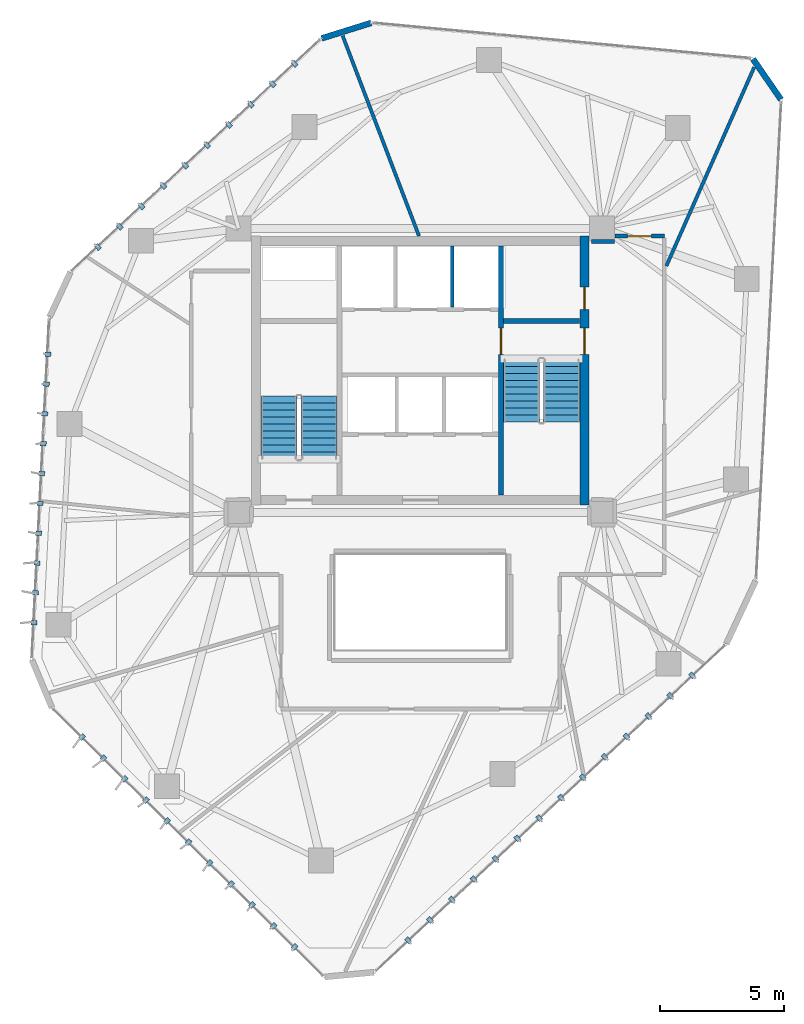
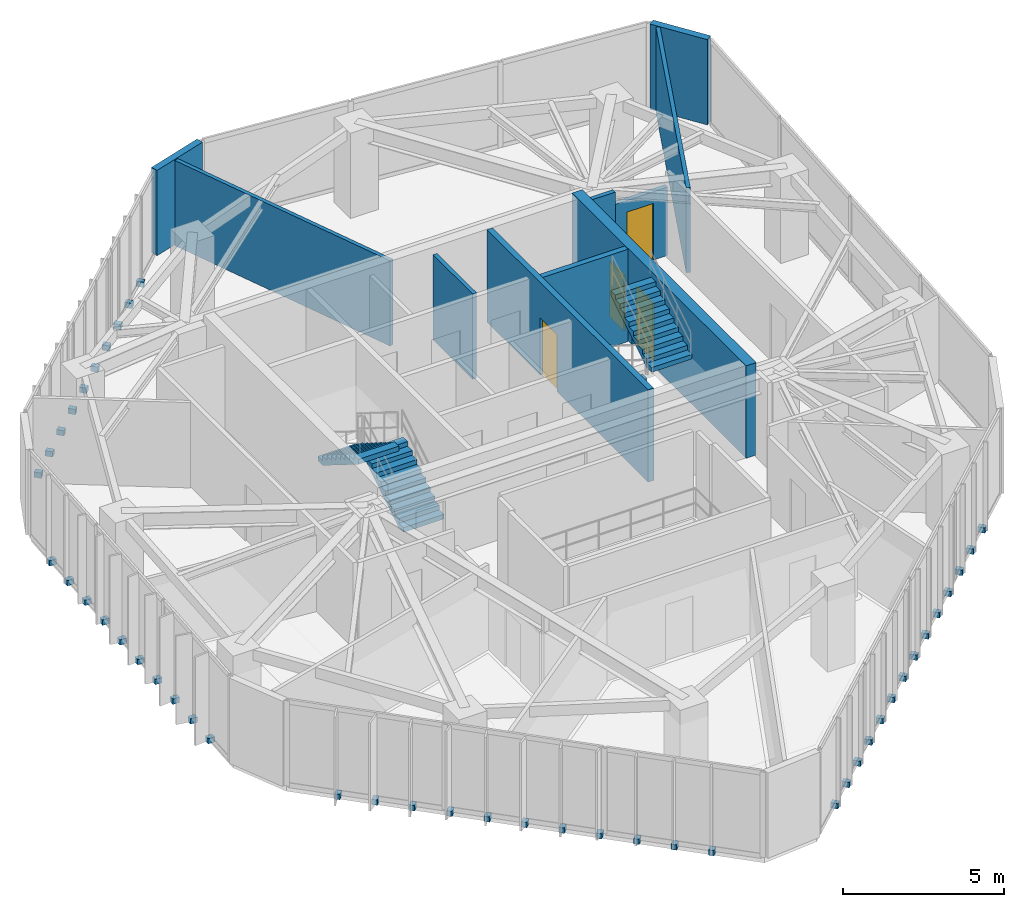
# One storey, part 17 of 19: 45 discrete accessories, 10 walls, 4 doors, 4 stair flights, 4 openings, 2 elements without a shape of their own.
"""IFC4 building model written with IfcOpenShell, lengths in metres."""

from ifc_helpers import new_model, si_unit, direction, frame, frame_2d, origin, origin_2d, place, context, subcontext, project, spatial, polyline, rectangle, outline, extrude, source, transform, mapped, material, layer, layer_set, type_object, type_shapes, element, fill, aggregate, save


model = new_model("IFC4")

# Units and contexts
model_context = context("Model", 3, precision=1e-05, world=origin(), true_north=direction((0.0, 1.0)))
body_context = subcontext(model_context, "Body", "Model", "MODEL_VIEW")
ifc_project = project(units=[si_unit("LENGTHUNIT", "METRE"), si_unit("AREAUNIT", "SQUARE_METRE"), si_unit("VOLUMEUNIT", "CUBIC_METRE"), si_unit("PLANEANGLEUNIT", "RADIAN"), si_unit("MASSUNIT", "GRAM", prefix="KILO")], contexts=[model_context])

# Site, building, storey
site_placement = place(None, origin())
site = spatial("IfcSite", under=ifc_project, at=site_placement, CompositionType="ELEMENT")
building_placement = place(site_placement, origin())
building = spatial("IfcBuilding", under=site, at=building_placement, Name="Talar Marvaseh", CompositionType="ELEMENT")
storey_placement = place(building_placement, frame((0.0, 0.0, 218.699951171875)))
storey = spatial("IfcBuildingStorey", under=building, at=storey_placement, Name="L57", CompositionType="ELEMENT", Elevation=218.699951171875)

# Walls
ifc_material_1 = material(Name="Precast concrete C45/55", Category="concrete")
ifc_layer_1 = layer(ifc_material_1, 0.239990234375)
ifc_layer_set_1 = layer_set([ifc_layer_1], Name="Precast concrete C45/55")
wall_type_1 = type_object("IfcWallType", Name="Chamfered Hexagonal Corner Pier Wall Z3 240", PredefinedType="SOLIDWALL", material=ifc_layer_set_1)
wall_1_placement = place(storey_placement, frame((22.03515625, 44.544189453125, 0.0), z_axis=(0.0, 0.0, 1.0), x_axis=(0.954398827586, 0.298534550601, 0.0)))
element("IfcWall", 1, at=wall_1_placement, inside=storey, type_object=wall_type_1, Name="L57 Chamfered Corner Limestone Pier 4", PredefinedType="SOLIDWALL", context=body_context, shape_type="SweptSolid", body=[
    extrude(rectangle(XDim=2.088623046875, YDim=0.239990234375, at=frame_2d((1.04443359375, 0.0))), origin(), (0.0, 0.0, 1.0), 3.22998046875),
])
wall_2_placement = place(storey_placement, frame((39.3681640625, 43.71533203125, 0.0), z_axis=(0.0, 0.0, 1.0), x_axis=(0.567481958719, -0.823385830901, 0.0)))
element("IfcWall", 2, at=wall_2_placement, inside=storey, type_object=wall_type_1, Name="L57 Chamfered Corner Limestone Pier 5", PredefinedType="SOLIDWALL", context=body_context, shape_type="SweptSolid", body=[
    extrude(rectangle(XDim=1.977783203125, YDim=0.239990234375, at=frame_2d((0.98876953125, 0.0))), origin(), (0.0, 0.0, 1.0), 3.22998046875),
])

# Wall, opening, door
ifc_material_2 = material(Name="Gypsum Board Partition Assembly")
ifc_layer_2 = layer(ifc_material_2, 0.155029296875)
ifc_layer_set_2 = layer_set([ifc_layer_2], Name="Gypsum Board Partition Assembly")
wall_type_2 = type_object("IfcWallType", Name="Corridor Fire-Rated Acoustic Partition 155", PredefinedType="PARTITIONING", material=ifc_layer_set_2)
wall_3_placement = place(storey_placement, frame((33.81494140625, 36.60009765625, 0.0), z_axis=(0.0, 0.0, 1.0), x_axis=(1.0, 0.0, 0.0)))
wall_3 = element("IfcWall", 3, at=wall_3_placement, inside=storey, type_object=wall_type_2, Name="L57 Interior Partition Wall", PredefinedType="PARTITIONING", context=body_context, shape_type="SweptSolid", body=[
    extrude(rectangle(XDim=1.985107421875, YDim=0.155029296875, at=frame_2d((0.99267578125, 0.0))), origin(), (0.0, 0.0, 1.0), 2.589111328125),
])
opening_1_placement = place(wall_3_placement, frame((0.517578125, 0.0, 0.0)))
opening_1 = element("IfcOpeningElement", 4, at=opening_1_placement, cuts=wall_3, Name="Opening DR-WC095", PredefinedType="OPENING", context=body_context, shape_type="SweptSolid", body=[
    extrude(rectangle(XDim=0.949951171875, YDim=2.14990234375, at=frame_2d((0.47509765625, 1.074951171875))), frame((0.0, 0.08740234375, 0.0), z_axis=(0.0, -1.0, 0.0), x_axis=(1.0, 0.0, 0.0)), (0.0, 0.0, 1.0), 0.175048828125),
])
ifc_material_3 = material(Name="Acoustic Engineered Oak Timber", Category="wood")
door_type_1 = type_object("IfcDoorType", Name="Washroom and Service Room Door 950x2150", OperationType="NOTDEFINED", PredefinedType="DOOR", material=ifc_material_3)
shared_shape_1 = source(origin(), body_context, "Body", "SweptSolid", [
    extrude(rectangle(XDim=0.949951171875, YDim=2.14990234375, at=frame_2d((0.47509765625, 1.074951171875))), frame((0.0, 0.02490234375, 0.0), z_axis=(0.0, -1.0, 0.0), x_axis=(1.0, 0.0, 0.0)), (0.0, 0.0, 1.0), 0.050048828125),
])
type_shapes(door_type_1, [shared_shape_1])
door_1_placement = place(opening_1_placement, origin())
door_1 = element("IfcDoor", 5, at=door_1_placement, inside=storey, type_object=door_type_1, Name="L57 Manuscript Folio Archive Room Door", OperationType="SINGLE_SWING_RIGHT", OverallHeight=2.14990234375, OverallWidth=0.949951171875, PredefinedType="DOOR", context=body_context, shape_type="MappedRepresentation", body=[
    mapped(shared_shape_1, transform((0.0, 0.0, 0.0), x_axis=(1.0, 0.0, 0.0), y_axis=(0.0, 1.0, 0.0), z_axis=(0.0, 0.0, 1.0), scale=1.0)),
])
fill(opening_1, door_1)

# Walls
wall_4_placement = place(storey_placement, frame((32.8701171875, 36.385009765625, 0.0), z_axis=(0.0, 0.0, 1.0), x_axis=(0.999999965754, 0.000261711585, 0.0)))
element("IfcWall", 6, at=wall_4_placement, inside=storey, type_object=wall_type_2, Name="L57 Interior Partition Wall", PredefinedType="PARTITIONING", context=body_context, shape_type="SweptSolid", body=[
    extrude(rectangle(XDim=0.932861328125, YDim=0.155029296875, at=frame_2d((0.46630859375, 0.0))), origin(), (0.0, 0.0, 1.0), 3.22998046875),
])
ifc_layer_3 = layer(ifc_material_1, 0.14501953125)
ifc_layer_set_3 = layer_set([ifc_layer_3], Name="Precast concrete C45/55")
wall_type_3 = type_object("IfcWallType", Name="Fire-Rated Lift Divider Wall 145", PredefinedType="SOLIDWALL", material=ifc_layer_set_3)
wall_5_placement = place(storey_placement, frame((27.280029296875, 33.743408203125, 0.0), z_axis=(0.0, 0.0, 1.0), x_axis=(0.0, 1.0, 0.0)))
element("IfcWall", 7, at=wall_5_placement, inside=storey, type_object=wall_type_3, Name="L57 FFL-2/SVL-1 Divider", PredefinedType="SOLIDWALL", context=body_context, shape_type="SweptSolid", body=[
    extrude(rectangle(XDim=2.45654296875, YDim=0.14501953125, at=frame_2d((1.228271484375, 0.0))), origin(), (0.0, 0.0, 1.0), 3.22998046875),
])
ifc_layer_4 = layer(ifc_material_2, 0.135009765625)
ifc_layer_set_4 = layer_set([ifc_layer_4], Name="Gypsum Board Partition Assembly")
wall_type_4 = type_object("IfcWallType", Name="Gallery High-Acoustic Partition 135", PredefinedType="PARTITIONING", material=ifc_layer_set_4)
wall_6_placement = place(storey_placement, frame((35.883544921875, 35.398681640625, 0.0), z_axis=(0.0, 0.0, 1.0), x_axis=(0.404345005341, 0.914606536526, 0.0)))
element("IfcWall", 8, at=wall_6_placement, inside=storey, type_object=wall_type_4, Name="L57 Interior Partition Wall", PredefinedType="PARTITIONING", context=body_context, shape_type="SweptSolid", body=[
    extrude(rectangle(XDim=8.7314453125, YDim=0.135009765625, at=frame_2d((4.36572265625, 0.0))), origin(), (0.0, 0.0, 1.0), 3.22998046875),
])
wall_7_placement = place(storey_placement, frame((25.949951171875, 36.60009765625, 0.0), z_axis=(0.0, 0.0, 1.0), x_axis=(-0.356247602613, 0.934391591161, 0.0)))
element("IfcWall", 9, at=wall_7_placement, inside=storey, type_object=wall_type_4, Name="L57 Interior Partition Wall", PredefinedType="PARTITIONING", context=body_context, shape_type="SweptSolid", body=[
    extrude(rectangle(XDim=8.611572265625, YDim=0.135009765625, at=frame_2d((4.3056640625, 0.0))), origin(), (0.0, 0.0, 1.0), 3.22998046875),
])

# Wall, opening, door
ifc_material_4 = material(Name="Concrete C50/60", Category="concrete")
ifc_layer_5 = layer(ifc_material_4, 0.199951171875)
ifc_layer_set_5 = layer_set([ifc_layer_5], Name="Concrete C50/60")
wall_type_5 = type_object("IfcWallType", Name="Stair Shaft Structural Concrete Shear Wall 200", PredefinedType="SHEAR", material=ifc_layer_set_5)
wall_8_placement = place(storey_placement, frame((29.239990234375, 26.199951171875, 0.0), z_axis=(0.0, 0.0, 1.0), x_axis=(0.0, 1.0, 0.0)))
wall_8 = element("IfcWall", 10, at=wall_8_placement, inside=storey, type_object=wall_type_5, Name="L57 Core East Stair Shear Wall", PredefinedType="SHEAR", context=body_context, shape_type="SweptSolid", body=[
    extrude(rectangle(XDim=10.0, YDim=0.199951171875, at=frame_2d((5.0, 0.0))), origin(), (0.0, 0.0, 1.0), 3.5),
])
opening_2_placement = place(wall_8_placement, frame((5.64990234375, 0.0, 0.0)))
opening_2 = element("IfcOpeningElement", 11, at=opening_2_placement, cuts=wall_8, Name="Opening DR-ST105", PredefinedType="OPENING", context=body_context, shape_type="SweptSolid", body=[
    extrude(rectangle(XDim=1.050048828125, YDim=2.14990234375, at=frame_2d((0.52490234375, 1.074951171875))), frame((0.0, 0.10986328125, 0.0), z_axis=(0.0, -1.0, 0.0), x_axis=(1.0, 0.0, 0.0)), (0.0, 0.0, 1.0), 0.219970703125),
])
ifc_material_5 = material(Name="Fire-Rated Steel Door Leaf", Category="steel")
door_type_2 = type_object("IfcDoorType", Name="Protected Exit Stair Fire Door 1050x2150", OperationType="NOTDEFINED", PredefinedType="DOOR", material=ifc_material_5)
shared_shape_2 = source(origin(), body_context, "Body", "SweptSolid", [
    extrude(rectangle(XDim=1.050048828125, YDim=2.14990234375, at=frame_2d((0.52490234375, 1.074951171875))), frame((0.0, 0.02490234375, 0.0), z_axis=(0.0, -1.0, 0.0), x_axis=(1.0, 0.0, 0.0)), (0.0, 0.0, 1.0), 0.050048828125),
])
type_shapes(door_type_2, [shared_shape_2])
door_2_placement = place(opening_2_placement, origin())
door_2 = element("IfcDoor", 12, at=door_2_placement, inside=storey, type_object=door_type_2, Name="L57 Firefighting Lobby to Stair ST-2 Door", OperationType="SINGLE_SWING_LEFT", OverallHeight=2.14990234375, OverallWidth=1.050048828125, PredefinedType="DOOR", context=body_context, shape_type="MappedRepresentation", body=[
    mapped(shared_shape_2, transform((0.0, 0.0, 0.0), x_axis=(1.0, 0.0, 0.0), y_axis=(0.0, 1.0, 0.0), z_axis=(0.0, 0.0, 1.0), scale=1.0)),
])
fill(opening_2, door_2)

# Wall
wall_9_placement = place(storey_placement, frame((29.340087890625, 33.199951171875, 0.0), z_axis=(0.0, 0.0, 1.0), x_axis=(1.0, 0.0, 0.0)))
element("IfcWall", 13, at=wall_9_placement, inside=storey, type_object=wall_type_5, Name="L57 Stair ST-2 North Shear Wall", PredefinedType="SHEAR", context=body_context, shape_type="SweptSolid", body=[
    extrude(rectangle(XDim=3.059814453125, YDim=0.199951171875, at=frame_2d((1.52978515625, 0.0))), origin(), (0.0, 0.0, 1.0), 3.5),
])

# Wall, openings, doors
ifc_layer_6 = layer(ifc_material_4, 0.360107421875)
ifc_layer_set_6 = layer_set([ifc_layer_6], Name="Concrete C50/60")
wall_type_6 = type_object("IfcWallType", Name="Upper Core Reinforced Concrete Shear Wall 360", PredefinedType="SHEAR", material=ifc_layer_set_6)
wall_10_placement = place(storey_placement, frame((32.60009765625, 36.60009765625, 0.0), z_axis=(0.0, 0.0, 1.0), x_axis=(0.0, -1.0, 0.0)))
wall_10 = element("IfcWall", 14, at=wall_10_placement, inside=storey, type_object=wall_type_6, Name="L57 East Core Shear Wall", PredefinedType="SHEAR", context=body_context, shape_type="SweptSolid", body=[
    extrude(rectangle(XDim=10.800048828125, YDim=0.360107421875, at=frame_2d((5.39990234375, 0.0))), origin(), (0.0, 0.0, 1.0), 3.5),
])
opening_3_placement = place(wall_10_placement, frame((3.699951171875, 0.0, 0.0)))
opening_3 = element("IfcOpeningElement", 15, at=opening_3_placement, cuts=wall_10, Name="Opening DR-ST105", PredefinedType="OPENING", context=body_context, shape_type="SweptSolid", body=[
    extrude(rectangle(XDim=1.050048828125, YDim=2.14990234375, at=frame_2d((0.52490234375, 1.074951171875))), frame((0.0, 0.18994140625, 0.0), z_axis=(0.0, -1.0, 0.0), x_axis=(1.0, 0.0, 0.0)), (0.0, 0.0, 1.0), 0.380126953125),
])
opening_4_placement = place(wall_10_placement, frame((2.050048828125, 0.0, 0.0)))
opening_4 = element("IfcOpeningElement", 16, at=opening_4_placement, cuts=wall_10, Name="Opening DR-BOH090", PredefinedType="OPENING", context=body_context, shape_type="SweptSolid", body=[
    extrude(rectangle(XDim=0.89990234375, YDim=2.10009765625, at=frame_2d((0.449951171875, 1.050048828125))), frame((0.0, 0.18994140625, 0.0), z_axis=(0.0, -1.0, 0.0), x_axis=(1.0, 0.0, 0.0)), (0.0, 0.0, 1.0), 0.380126953125),
])
door_3_placement = place(opening_3_placement, origin())
door_3 = element("IfcDoor", 17, at=door_3_placement, inside=storey, type_object=door_type_2, Name="L57 Stair ST-2 Corridor Exit Door", OperationType="SINGLE_SWING_LEFT", OverallHeight=2.14990234375, OverallWidth=1.050048828125, PredefinedType="DOOR", context=body_context, shape_type="MappedRepresentation", body=[
    mapped(shared_shape_2, transform((0.0, 0.0, 0.0), x_axis=(1.0, 0.0, 0.0), y_axis=(0.0, 1.0, 0.0), z_axis=(0.0, 0.0, 1.0), scale=1.0)),
])
fill(opening_3, door_3)
door_type_3 = type_object("IfcDoorType", Name="Core Back-of-House Service Door 900x2100", OperationType="NOTDEFINED", PredefinedType="DOOR", material=ifc_material_5)
shared_shape_3 = source(origin(), body_context, "Body", "SweptSolid", [
    extrude(rectangle(XDim=0.89990234375, YDim=2.10009765625, at=frame_2d((0.449951171875, 1.050048828125))), frame((0.0, 0.02490234375, 0.0), z_axis=(0.0, -1.0, 0.0), x_axis=(1.0, 0.0, 0.0)), (0.0, 0.0, 1.0), 0.050048828125),
])
type_shapes(door_type_3, [shared_shape_3])
door_4_placement = place(opening_4_placement, origin())
door_4 = element("IfcDoor", 18, at=door_4_placement, inside=storey, type_object=door_type_3, Name="L57 Store Core East Archive Room Door", OperationType="SINGLE_SWING_RIGHT", OverallHeight=2.10009765625, OverallWidth=0.89990234375, PredefinedType="DOOR", context=body_context, shape_type="MappedRepresentation", body=[
    mapped(shared_shape_3, transform((0.0, 0.0, 0.0), x_axis=(1.0, 0.0, 0.0), y_axis=(0.0, 1.0, 0.0), z_axis=(0.0, 0.0, 1.0), scale=1.0)),
])
fill(opening_4, door_4)

# Stair, stair flights
ifc_material_6 = material(Name="Concrete C40/50", Category="concrete")
stair_type = type_object("IfcStairType", Name="Reinforced Concrete High-Rise Exit Stair Type C", PredefinedType="HALF_TURN_STAIR", material=ifc_material_6)
stair_1_placement = place(storey_placement, origin())
stair_1 = element("IfcStair", 19, at=stair_1_placement, inside=storey, type_object=stair_type, Name="L57 Tower West Core Exit Stair", PredefinedType="HALF_TURN_STAIR")
ifc_layer_7 = layer(ifc_material_6, 0.159912109375)
ifc_layer_set_7 = layer_set([ifc_layer_7], Name="Concrete C40/50")
stair_flight_type = type_object("IfcStairFlightType", Name="Reinforced Concrete Straight Stair Flight 160", PredefinedType="STRAIGHT", material=ifc_layer_set_7)
stair_flight_1_placement = place(storey_placement, frame((21.93505859375, 27.64990234375, 0.0), z_axis=(0.0, 0.0, 1.0), x_axis=(0.0, 1.0, 0.0)))
stair_flight_1 = element("IfcStairFlight", 20, at=stair_flight_1_placement, type_object=stair_flight_type, Name="ST-1 flight 1", NumberOfRisers=10, NumberOfTreads=9, PredefinedType="STRAIGHT", RiserHeight=0.175, TreadLength=0.28, context=body_context, shape_type="SweptSolid", body=[
    extrude(outline(polyline([(0.0, 0.0), (0.0, 0.175048828125), (0.280029296875, 0.175048828125), (0.280029296875, 0.35009765625), (0.56005859375, 0.35009765625), (0.56005859375, 0.52490234375), (0.840087890625, 0.52490234375), (0.840087890625, 0.699951171875), (1.1201171875, 0.699951171875), (1.1201171875, 0.875), (1.39990234375, 0.875), (1.39990234375, 1.050048828125), (1.679931640625, 1.050048828125), (1.679931640625, 1.22509765625), (1.9599609375, 1.22509765625), (1.9599609375, 1.39990234375), (2.239990234375, 1.39990234375), (2.239990234375, 1.574951171875), (2.52001953125, 1.574951171875), (2.52001953125, 1.75), (2.52001953125, 1.386474609375), (0.3017578125, 0.0), (0.0, 0.0)])), frame((0.0, 0.72509765625, 0.0), z_axis=(0.0, -1.0, 0.0), x_axis=(1.0, 0.0, 0.0)), (0.0, 0.0, 1.0), 1.449951171875),
])
stair_flight_2_placement = place(storey_placement, frame((20.324951171875, 30.169921875, 1.75), z_axis=(0.0, 0.0, 1.0), x_axis=(0.0, -1.0, 0.0)))
stair_flight_2 = element("IfcStairFlight", 21, at=stair_flight_2_placement, type_object=stair_flight_type, Name="ST-1 flight 2", NumberOfRisers=10, NumberOfTreads=9, PredefinedType="STRAIGHT", RiserHeight=0.175, TreadLength=0.28, context=body_context, shape_type="SweptSolid", body=[
    extrude(outline(polyline([(0.0, 0.0), (0.0, 0.175048828125), (0.280029296875, 0.175048828125), (0.280029296875, 0.35009765625), (0.56005859375, 0.35009765625), (0.56005859375, 0.52490234375), (0.840087890625, 0.52490234375), (0.840087890625, 0.699951171875), (1.1201171875, 0.699951171875), (1.1201171875, 0.875), (1.39990234375, 0.875), (1.39990234375, 1.050048828125), (1.679931640625, 1.050048828125), (1.679931640625, 1.22509765625), (1.9599609375, 1.22509765625), (1.9599609375, 1.39990234375), (2.239990234375, 1.39990234375), (2.239990234375, 1.574951171875), (2.52001953125, 1.574951171875), (2.52001953125, 1.75), (2.52001953125, 1.386474609375), (0.3017578125, 0.0), (0.0, 0.0)])), frame((0.0, 0.72509765625, 0.0), z_axis=(0.0, -1.0, 0.0), x_axis=(1.0, 0.0, 0.0)), (0.0, 0.0, 1.0), 1.449951171875),
])
aggregate(stair_1, [stair_flight_1, stair_flight_2])

stair_2_placement = place(storey_placement, origin())
stair_2 = element("IfcStair", 22, at=stair_2_placement, inside=storey, type_object=stair_type, Name="L57 Tower East Core Exit Stair", PredefinedType="HALF_TURN_STAIR")
stair_flight_3_placement = place(storey_placement, frame((30.06494140625, 31.64990234375, 0.0), z_axis=(0.0, 0.0, 1.0), x_axis=(0.0, -1.0, 0.0)))
stair_flight_3 = element("IfcStairFlight", 23, at=stair_flight_3_placement, type_object=stair_flight_type, Name="ST-2 flight 1", NumberOfRisers=10, NumberOfTreads=9, PredefinedType="STRAIGHT", RiserHeight=0.175, TreadLength=0.28, context=body_context, shape_type="SweptSolid", body=[
    extrude(outline(polyline([(0.0, 0.0), (0.0, 0.175048828125), (0.280029296875, 0.175048828125), (0.280029296875, 0.35009765625), (0.56005859375, 0.35009765625), (0.56005859375, 0.52490234375), (0.840087890625, 0.52490234375), (0.840087890625, 0.699951171875), (1.1201171875, 0.699951171875), (1.1201171875, 0.875), (1.39990234375, 0.875), (1.39990234375, 1.050048828125), (1.679931640625, 1.050048828125), (1.679931640625, 1.22509765625), (1.9599609375, 1.22509765625), (1.9599609375, 1.39990234375), (2.239990234375, 1.39990234375), (2.239990234375, 1.574951171875), (2.52001953125, 1.574951171875), (2.52001953125, 1.75), (2.52001953125, 1.386474609375), (0.3017578125, 0.0), (0.0, 0.0)])), frame((0.0, 0.72509765625, 0.0), z_axis=(0.0, -1.0, 0.0), x_axis=(1.0, 0.0, 0.0)), (0.0, 0.0, 1.0), 1.449951171875),
])
stair_flight_4_placement = place(storey_placement, frame((31.675048828125, 29.1298828125, 1.75), z_axis=(0.0, 0.0, 1.0), x_axis=(0.0, 1.0, 0.0)))
stair_flight_4 = element("IfcStairFlight", 24, at=stair_flight_4_placement, type_object=stair_flight_type, Name="ST-2 flight 2", NumberOfRisers=10, NumberOfTreads=9, PredefinedType="STRAIGHT", RiserHeight=0.175, TreadLength=0.28, context=body_context, shape_type="SweptSolid", body=[
    extrude(outline(polyline([(0.0, 0.0), (0.0, 0.175048828125), (0.280029296875, 0.175048828125), (0.280029296875, 0.35009765625), (0.56005859375, 0.35009765625), (0.56005859375, 0.52490234375), (0.840087890625, 0.52490234375), (0.840087890625, 0.699951171875), (1.1201171875, 0.699951171875), (1.1201171875, 0.875), (1.39990234375, 0.875), (1.39990234375, 1.050048828125), (1.679931640625, 1.050048828125), (1.679931640625, 1.22509765625), (1.9599609375, 1.22509765625), (1.9599609375, 1.39990234375), (2.239990234375, 1.39990234375), (2.239990234375, 1.574951171875), (2.52001953125, 1.574951171875), (2.52001953125, 1.75), (2.52001953125, 1.386474609375), (0.3017578125, 0.0), (0.0, 0.0)])), frame((0.0, 0.72509765625, 0.0), z_axis=(0.0, -1.0, 0.0), x_axis=(1.0, 0.0, 0.0)), (0.0, 0.0, 1.0), 1.449951171875),
])
aggregate(stair_2, [stair_flight_3, stair_flight_4])

# Discrete accessories
ifc_material_7 = material(Name="Stainless Steel Grade 316", Category="steel")
discrete_accessory_type = type_object("IfcDiscreteAccessoryType", Name="Stainless Slab-Edge Fin Mounting Bracket", PredefinedType="BRACKET", material=ifc_material_7)
shared_shape_4 = source(origin(), body_context, "Body", "SweptSolid", [
    extrude(rectangle(XDim=0.239990234375, YDim=0.179931640625, at=origin_2d()), origin(), (0.0, 0.0, 1.0), 0.199951171875),
])
type_shapes(discrete_accessory_type, [shared_shape_4])
for number, where, z_axis, x_axis, name in (
    (25, (20.94970703125, 8.041015625, -0.1796875), (0.0, 0.0, 1.0), (-0.702774145499, -0.711413030818, 0.0), "L57 Vertical Fin Slab-Edge Bracket"),
    (26, (20.09619140625, 8.884521484375, -0.1796875), (0.0, 0.0, 1.0), (-0.702774145499, -0.711413030818, 0.0), "L57 Vertical Fin Slab-Edge Bracket"),
    (27, (19.242431640625, 9.727783203125, -0.1796875), (0.0, 0.0, 1.0), (-0.702774145499, -0.711413030818, 0.0), "L57 Vertical Fin Slab-Edge Bracket"),
    (28, (18.388916015625, 10.5712890625, -0.1796875), (0.0, 0.0, 1.0), (-0.702774145499, -0.711413030818, 0.0), "L57 Vertical Fin Slab-Edge Bracket"),
    (29, (17.53515625, 11.41455078125, -0.1796875), (0.0, 0.0, 1.0), (-0.702774145499, -0.711413030818, 0.0), "L57 Vertical Fin Slab-Edge Bracket"),
    (30, (16.681396484375, 12.258056640625, -0.1796875), (0.0, 0.0, 1.0), (-0.702774145499, -0.711413030818, 0.0), "L57 Vertical Fin Slab-Edge Bracket"),
    (31, (15.827880859375, 13.101318359375, -0.1796875), (0.0, 0.0, 1.0), (-0.702774145499, -0.711413030818, 0.0), "L57 Vertical Fin Slab-Edge Bracket"),
    (32, (14.974365234375, 13.94482421875, -0.1796875), (0.0, 0.0, 1.0), (-0.702774145499, -0.711413030818, 0.0), "L57 Vertical Fin Slab-Edge Bracket"),
    (33, (14.12060546875, 14.7880859375, -0.1796875), (0.0, 0.0, 1.0), (-0.702774145499, -0.711413030818, 0.0), "L57 Vertical Fin Slab-Edge Bracket"),
    (34, (13.26708984375, 15.631591796875, -0.1796875), (0.0, 0.0, 1.0), (-0.702774145499, -0.711413030818, 0.0), "L57 Vertical Fin Slab-Edge Bracket"),
    (35, (12.413330078125, 16.474853515625, -0.1796875), (0.0, 0.0, 1.0), (-0.702774145499, -0.711413030818, 0.0), "L57 Vertical Fin Slab-Edge Bracket"),
    (36, (10.4853515625, 21.070556640625, -0.1796875), (0.0, 0.0, 1.0), (-0.998692729882, 0.05111586135, 0.0), "L57 Vertical Fin Slab-Edge Bracket"),
    (37, (10.546630859375, 22.26904296875, -0.1796875), (0.0, 0.0, 1.0), (-0.998692729882, 0.05111586135, 0.0), "L57 Vertical Fin Slab-Edge Bracket"),
    (38, (10.608154296875, 23.46728515625, -0.1796875), (0.0, 0.0, 1.0), (-0.998692729882, 0.05111586135, 0.0), "L57 Vertical Fin Slab-Edge Bracket"),
    (39, (10.66943359375, 24.666015625, -0.1796875), (0.0, 0.0, 1.0), (-0.998692729882, 0.05111586135, 0.0), "L57 Vertical Fin Slab-Edge Bracket"),
    (40, (10.73095703125, 25.8642578125, -0.1796875), (0.0, 0.0, 1.0), (-0.998692729882, 0.05111586135, 0.0), "L57 Vertical Fin Slab-Edge Bracket"),
    (41, (10.792236328125, 27.062744140625, -0.1796875), (0.0, 0.0, 1.0), (-0.998692729882, 0.05111586135, 0.0), "L57 Vertical Fin Slab-Edge Bracket"),
    (42, (10.853515625, 28.260986328125, -0.1796875), (0.0, 0.0, 1.0), (-0.998692729882, 0.05111586135, 0.0), "L57 Vertical Fin Slab-Edge Bracket"),
    (43, (10.9150390625, 29.459716796875, -0.1796875), (0.0, 0.0, 1.0), (-0.998692729882, 0.05111586135, 0.0), "L57 Vertical Fin Slab-Edge Bracket"),
    (44, (10.976318359375, 30.657958984375, -0.1796875), (0.0, 0.0, 1.0), (-0.998692729882, 0.05111586135, 0.0), "L57 Vertical Fin Slab-Edge Bracket"),
    (45, (11.037841796875, 31.8564453125, -0.1796875), (0.0, 0.0, 1.0), (-0.998692729882, 0.05111586135, 0.0), "L57 Vertical Fin Slab-Edge Bracket"),
    (46, (13.04541015625, 36.161376953125, -0.1796875), (0.0, 0.0, 1.0), (-0.681104334195, 0.732186373775, 0.0), "L57 Vertical Fin Slab-Edge Bracket"),
    (47, (13.923828125, 36.978759765625, -0.1796875), (0.0, 0.0, 1.0), (-0.681104334195, 0.732186373775, 0.0), "L57 Vertical Fin Slab-Edge Bracket"),
    (48, (14.802490234375, 37.796142578125, -0.1796875), (0.0, 0.0, 1.0), (-0.681104334195, 0.732186373775, 0.0), "L57 Vertical Fin Slab-Edge Bracket"),
    (49, (15.68115234375, 38.613525390625, -0.1796875), (0.0, 0.0, 1.0), (-0.681104334195, 0.732186373775, 0.0), "L57 Vertical Fin Slab-Edge Bracket"),
    (50, (16.559814453125, 39.430908203125, -0.1796875), (0.0, 0.0, 1.0), (-0.681104334195, 0.732186373775, 0.0), "L57 Vertical Fin Slab-Edge Bracket"),
    (51, (17.438232421875, 40.248291015625, -0.1796875), (0.0, 0.0, 1.0), (-0.681104334195, 0.732186373775, 0.0), "L57 Vertical Fin Slab-Edge Bracket"),
    (52, (18.31689453125, 41.065673828125, -0.1796875), (0.0, 0.0, 1.0), (-0.681104334195, 0.732186373775, 0.0), "L57 Vertical Fin Slab-Edge Bracket"),
    (53, (19.1953125, 41.8828125, -0.1796875), (0.0, 0.0, 1.0), (-0.681104334195, 0.732186373775, 0.0), "L57 Vertical Fin Slab-Edge Bracket"),
    (54, (20.073974609375, 42.7001953125, -0.1796875), (0.0, 0.0, 1.0), (-0.681104334195, 0.732186373775, 0.0), "L57 Vertical Fin Slab-Edge Bracket"),
    (55, (20.95263671875, 43.517578125, -0.1796875), (0.0, 0.0, 1.0), (-0.681104334195, 0.732186373775, 0.0), "L57 Vertical Fin Slab-Edge Bracket"),
    (56, (36.91748046875, 18.95263671875, -0.1796875), (0.0, 0.0, 1.0), (0.682125994975, -0.731234659312, 0.0), "L57 Vertical Fin Slab-Edge Bracket"),
    (57, (36.0400390625, 18.13427734375, -0.1796875), (0.0, 0.0, 1.0), (0.682125994975, -0.731234659312, 0.0), "L57 Vertical Fin Slab-Edge Bracket"),
    (58, (35.16259765625, 17.315673828125, -0.1796875), (0.0, 0.0, 1.0), (0.682125994975, -0.731234659312, 0.0), "L57 Vertical Fin Slab-Edge Bracket"),
    (59, (34.28515625, 16.4970703125, -0.1796875), (0.0, 0.0, 1.0), (0.682125994975, -0.731234659312, 0.0), "L57 Vertical Fin Slab-Edge Bracket"),
    (60, (33.40771484375, 15.6787109375, -0.1796875), (0.0, 0.0, 1.0), (0.682125994975, -0.731234659312, 0.0), "L57 Vertical Fin Slab-Edge Bracket"),
    (61, (32.530029296875, 14.860107421875, -0.1796875), (0.0, 0.0, 1.0), (0.682125994975, -0.731234659312, 0.0), "L57 Vertical Fin Slab-Edge Bracket"),
    (62, (31.652587890625, 14.04150390625, -0.1796875), (0.0, 0.0, 1.0), (0.682125994975, -0.731234659312, 0.0), "L57 Vertical Fin Slab-Edge Bracket"),
    (63, (30.775146484375, 13.222900390625, -0.1796875), (0.0, 0.0, 1.0), (0.682125994975, -0.731234659312, 0.0), "L57 Vertical Fin Slab-Edge Bracket"),
    (64, (29.897705078125, 12.404541015625, -0.1796875), (0.0, 0.0, 1.0), (0.682125994975, -0.731234659312, 0.0), "L57 Vertical Fin Slab-Edge Bracket"),
    (65, (29.02001953125, 11.5859375, -0.1796875), (0.0, 0.0, 1.0), (0.682125994975, -0.731234659312, 0.0), "L57 Vertical Fin Slab-Edge Bracket"),
    (66, (28.142578125, 10.767333984375, -0.1796875), (0.0, 0.0, 1.0), (0.682125994975, -0.731234659312, 0.0), "L57 Vertical Fin Slab-Edge Bracket"),
    (67, (27.26513671875, 9.948974609375, -0.1796875), (0.0, 0.0, 1.0), (0.682125994975, -0.731234659312, 0.0), "L57 Vertical Fin Slab-Edge Bracket"),
    (68, (26.3876953125, 9.13037109375, -0.1796875), (0.0, 0.0, 1.0), (0.682125994975, -0.731234659312, 0.0), "L57 Vertical Fin Slab-Edge Bracket"),
    (69, (25.510009765625, 8.311767578125, -0.1796875), (0.0, 0.0, 1.0), (0.682125994975, -0.731234659312, 0.0), "L57 Vertical Fin Slab-Edge Bracket"),
):
    element("IfcDiscreteAccessory", number, at=place(storey_placement, frame(where, z_axis=z_axis, x_axis=x_axis)), inside=storey, type_object=discrete_accessory_type, Name=name, PredefinedType="BRACKET", context=body_context, shape_type="MappedRepresentation", body=[
        mapped(shared_shape_4, transform((0.0, 0.0, 0.0), x_axis=(1.0, 0.0, 0.0), y_axis=(0.0, 1.0, 0.0), z_axis=(0.0, 0.0, 1.0), scale=1.0)),
    ])

save(model, "model.ifc")
